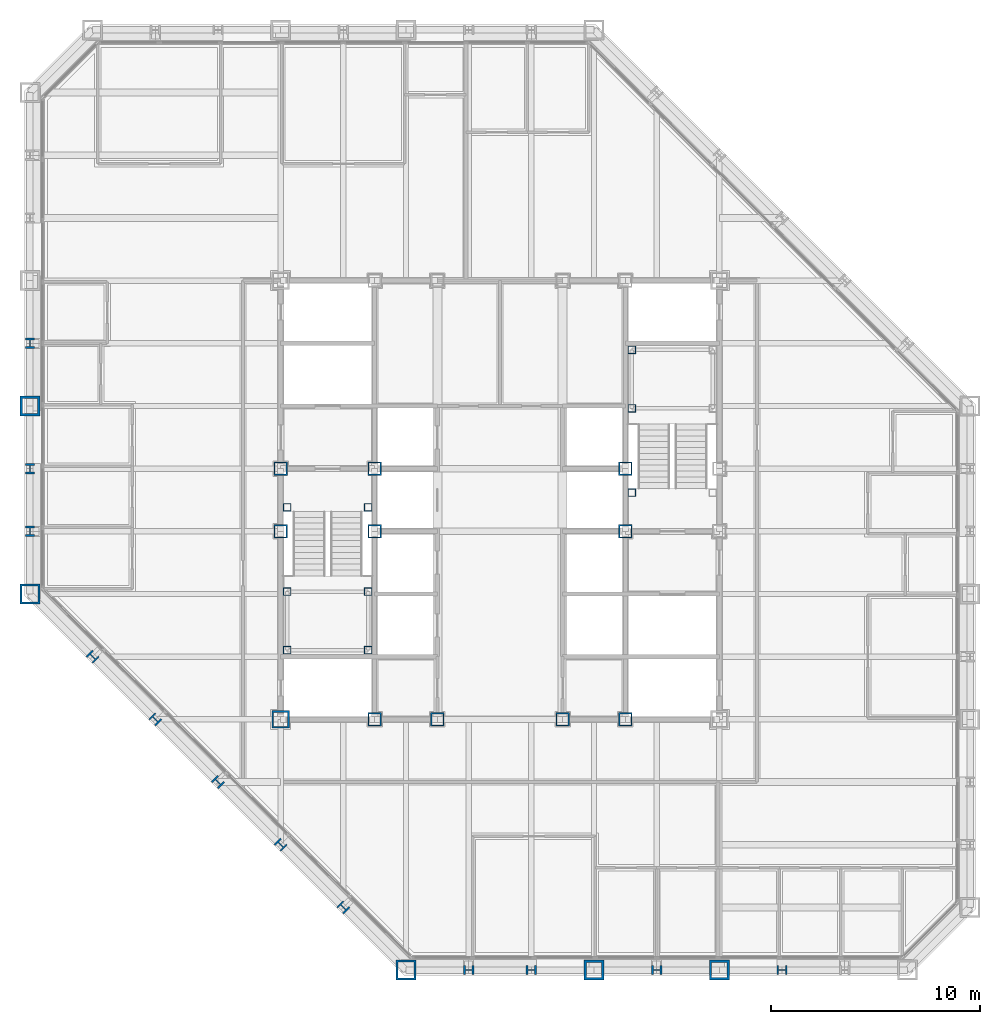
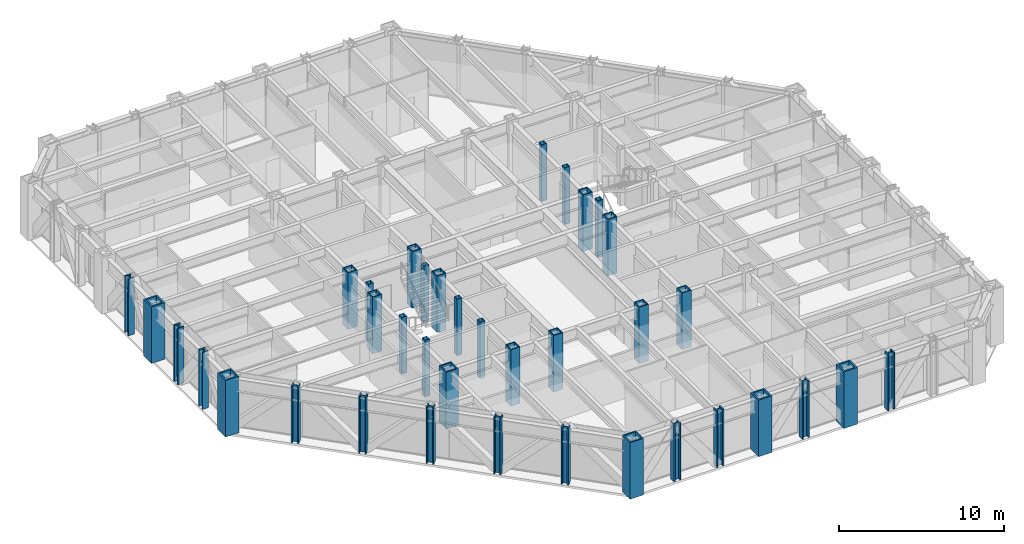
# One storey, part 1 of 16: 37 columns.
"""IFC4 building model written with IfcOpenShell, lengths in metres."""

from ifc_helpers import new_model, si_unit, direction, frame, origin, origin_2d, place, context, subcontext, project, spatial, hollow_rectangle, i_section, extrude, material, material_profile, profile_set, type_object, element, save


model = new_model("IFC4")

# Units and contexts
model_context = context("Model", 3, precision=1e-05, world=origin(), true_north=direction((0.0, 1.0)))
body_context = subcontext(model_context, "Body", "Model", "MODEL_VIEW")
ifc_project = project(units=[si_unit("LENGTHUNIT", "METRE"), si_unit("AREAUNIT", "SQUARE_METRE"), si_unit("VOLUMEUNIT", "CUBIC_METRE"), si_unit("PLANEANGLEUNIT", "RADIAN"), si_unit("MASSUNIT", "GRAM", prefix="KILO")], contexts=[model_context])

# Site, building, storey
site_placement = place(None, origin())
site = spatial("IfcSite", under=ifc_project, at=site_placement, CompositionType="ELEMENT")
building_placement = place(site_placement, origin())
building = spatial("IfcBuilding", under=site, at=building_placement, Name="Chuquiago Exchange Tower", CompositionType="ELEMENT")
storey_placement = place(building_placement, frame((0.0, 0.0, 161.39990234375)))
storey = spatial("IfcBuildingStorey", under=building, at=storey_placement, Name="L35", CompositionType="ELEMENT", Elevation=161.39990234375)

# Columns
ifc_material_1 = material(Name="Steel ASTM A992", Category="steel")
ifc_material_profile_1 = material_profile(ifc_material_1, i_section(OverallWidth=0.431884765625, OverallDepth=0.497802734375, WebThickness=0.0556640625, FlangeThickness=0.0888671875, at=origin_2d()), Name="W14X500")
ifc_profile_set_1 = profile_set([ifc_material_profile_1], Name="Steel ASTM A992")
column_type_1 = type_object("IfcColumnType", Name="C7 W14X500", PredefinedType="COLUMN", material=ifc_profile_set_1)
for number, where, z_axis, x_axis, name in (
    (1, (21.0, 0.0, 0.0), (0.0, 0.0, 1.0), (0.0, -1.0, 0.0), "COL-L35-21_0"),
    (2, (24.0, 0.0, 0.0), (0.0, 0.0, 1.0), (0.0, -1.0, 0.0), "COL-L35-24_0"),
    (3, (30.0, 0.0, 0.0), (0.0, 0.0, 1.0), (0.0, -1.0, 0.0), "COL-L35-30_0"),
    (4, (36.0, 0.0, 0.0), (0.0, 0.0, 1.0), (0.0, -1.0, 0.0), "COL-L35-36_0"),
    (5, (0.0, 30.0, 0.0), (0.0, 0.0, 1.0), (-1.0, 0.0, 0.0), "COL-L35-0_30"),
    (6, (0.0, 24.0, 0.0), (0.0, 0.0, 1.0), (-1.0, 0.0, 0.0), "COL-L35-0_24"),
    (7, (0.0, 21.0, 0.0), (0.0, 0.0, 1.0), (-1.0, 0.0, 0.0), "COL-L35-0_21"),
):
    element("IfcColumn", number, at=place(storey_placement, frame(where, z_axis=z_axis, x_axis=x_axis)), inside=storey, type_object=column_type_1, Name=name, PredefinedType="COLUMN", context=body_context, shape_type="SweptSolid", body=[
        extrude(i_section(OverallWidth=0.431884765625, OverallDepth=0.497802734375, WebThickness=0.0556640625, FlangeThickness=0.0888671875, at=origin_2d()), origin(), (0.0, 0.0, 1.0), 4.2001953125),
    ])
ifc_material_2 = material(Name="Steel ASTM A572 Grade 50", Category="steel")
ifc_material_profile_2 = material_profile(ifc_material_2, hollow_rectangle(XDim=0.85009765625, YDim=0.85009765625, WallThickness=0.0849609375, at=origin_2d()), Name="BOX850X850X85")
ifc_profile_set_2 = profile_set([ifc_material_profile_2], Name="Steel ASTM A572 Grade 50")
column_type_2 = type_object("IfcColumnType", Name="CC6 BOX850X850X85", PredefinedType="COLUMN", material=ifc_profile_set_2)
column_placement = place(storey_placement, frame((12.0, 12.0, 0.0), z_axis=(0.0, 0.0, 1.0), x_axis=(1.0, 0.0, 0.0)))
element("IfcColumn", 8, at=column_placement, inside=storey, type_object=column_type_2, Name="CCOL-L35-12_12", PredefinedType="COLUMN", context=body_context, shape_type="SweptSolid", body=[
    extrude(hollow_rectangle(XDim=0.85009765625, YDim=0.85009765625, WallThickness=0.0849609375, at=origin_2d()), origin(), (0.0, 0.0, 1.0), 4.2001953125),
])
ifc_material_3 = material(Name="Steel ASTM A572 Grade 50", Category="steel")
ifc_material_profile_3 = material_profile(ifc_material_3, hollow_rectangle(XDim=0.64990234375, YDim=0.64990234375, WallThickness=0.06494140625, at=origin_2d()), Name="BOX650X650X65")
ifc_profile_set_3 = profile_set([ifc_material_profile_3], Name="Steel ASTM A572 Grade 50")
column_type_3 = type_object("IfcColumnType", Name="CC7 BOX650X650X65", PredefinedType="COLUMN", material=ifc_profile_set_3)
for number, where, z_axis, x_axis, name in (
    (9, (16.5, 12.0, 0.0), (0.0, 0.0, 1.0), (1.0, 0.0, 0.0), "CCOL-L35-16.5_12"),
    (10, (19.5, 12.0, 0.0), (0.0, 0.0, 1.0), (1.0, 0.0, 0.0), "CCOL-L35-19.5_12"),
    (11, (25.5, 12.0, 0.0), (0.0, 0.0, 1.0), (1.0, 0.0, 0.0), "CCOL-L35-25.5_12"),
    (12, (28.5, 12.0, 0.0), (0.0, 0.0, 1.0), (1.0, 0.0, 0.0), "CCOL-L35-28.5_12"),
    (13, (12.0, 21.0, 0.0), (0.0, 0.0, 1.0), (1.0, 0.0, 0.0), "CCOL-L35-12_21"),
    (14, (12.0, 24.0, 0.0), (0.0, 0.0, 1.0), (1.0, 0.0, 0.0), "CCOL-L35-12_24"),
    (15, (16.5, 21.0, 0.0), (0.0, 0.0, 1.0), (1.0, 0.0, 0.0), "CCOL-L35-16.5_21"),
    (16, (16.5, 24.0, 0.0), (0.0, 0.0, 1.0), (1.0, 0.0, 0.0), "CCOL-L35-16.5_24"),
    (17, (28.5, 21.0, 0.0), (0.0, 0.0, 1.0), (1.0, 0.0, 0.0), "CCOL-L35-28.5_21"),
    (18, (28.5, 24.0, 0.0), (0.0, 0.0, 1.0), (1.0, 0.0, 0.0), "CCOL-L35-28.5_24"),
):
    element("IfcColumn", number, at=place(storey_placement, frame(where, z_axis=z_axis, x_axis=x_axis)), inside=storey, type_object=column_type_3, Name=name, PredefinedType="COLUMN", context=body_context, shape_type="SweptSolid", body=[
        extrude(hollow_rectangle(XDim=0.64990234375, YDim=0.64990234375, WallThickness=0.06494140625, at=origin_2d()), origin(), (0.0, 0.0, 1.0), 4.2001953125),
    ])
ifc_material_4 = material(Name="Steel ASTM A992", Category="steel")
ifc_material_profile_4 = material_profile(ifc_material_4, i_section(OverallWidth=0.4267578125, OverallDepth=0.482666015625, WebThickness=0.05126953125, FlangeThickness=0.08154296875, at=origin_2d()), Name="W14X455")
ifc_profile_set_4 = profile_set([ifc_material_profile_4], Name="Steel ASTM A992")
column_type_4 = type_object("IfcColumnType", Name="CK6 W14X455", PredefinedType="COLUMN", material=ifc_profile_set_4)
for number, where, z_axis, x_axis, name in (
    (19, (3.0, 15.0, 0.0), (0.0, 0.0, 1.0), (-0.707106781187, -0.707106781187, 0.0), "COL-L35-3_15"),
    (20, (6.0, 12.0, 0.0), (0.0, 0.0, 1.0), (-0.707106781187, -0.707106781187, 0.0), "COL-L35-6_12"),
    (21, (9.0, 9.0, 0.0), (0.0, 0.0, 1.0), (-0.707106781187, -0.707106781187, 0.0), "COL-L35-9_9"),
    (22, (12.0, 6.0, 0.0), (0.0, 0.0, 1.0), (-0.707106781187, -0.707106781187, 0.0), "COL-L35-12_6"),
    (23, (15.0, 3.0, 0.0), (0.0, 0.0, 1.0), (-0.707106781187, -0.707106781187, 0.0), "COL-L35-15_3"),
):
    element("IfcColumn", number, at=place(storey_placement, frame(where, z_axis=z_axis, x_axis=x_axis)), inside=storey, type_object=column_type_4, Name=name, PredefinedType="COLUMN", context=body_context, shape_type="SweptSolid", body=[
        extrude(i_section(OverallWidth=0.4267578125, OverallDepth=0.482666015625, WebThickness=0.05126953125, FlangeThickness=0.08154296875, at=origin_2d()), origin(), (0.0, 0.0, 1.0), 4.2001953125),
    ])
ifc_material_5 = material(Name="Steel ASTM A572 Grade 50", Category="steel")
ifc_material_profile_5 = material_profile(ifc_material_5, hollow_rectangle(XDim=0.949951171875, YDim=0.949951171875, WallThickness=0.094970703125, at=origin_2d()), Name="BOX950X950X95")
ifc_profile_set_5 = profile_set([ifc_material_profile_5], Name="Steel ASTM A572 Grade 50")
column_type_5 = type_object("IfcColumnType", Name="CN1 BOX950X950X95", PredefinedType="COLUMN", material=ifc_profile_set_5)
for number, where, z_axis, x_axis, name in (
    (24, (18.0, 0.0, 0.0), (0.0, 0.0, 1.0), (0.0, -1.0, 0.0), "COL-L35-18_0"),
    (25, (0.0, 18.0, 0.0), (0.0, 0.0, 1.0), (-1.0, 0.0, 0.0), "COL-L35-0_18"),
):
    element("IfcColumn", number, at=place(storey_placement, frame(where, z_axis=z_axis, x_axis=x_axis)), inside=storey, type_object=column_type_5, Name=name, PredefinedType="COLUMN", context=body_context, shape_type="SweptSolid", body=[
        extrude(hollow_rectangle(XDim=0.949951171875, YDim=0.949951171875, WallThickness=0.094970703125, at=origin_2d()), origin(), (0.0, 0.0, 1.0), 4.2001953125),
    ])
ifc_material_6 = material(Name="Steel ASTM A572 Grade 42", Category="steel")
ifc_material_profile_6 = material_profile(ifc_material_6, hollow_rectangle(XDim=0.949951171875, YDim=0.949951171875, WallThickness=0.110107421875, at=origin_2d()), Name="BOX950X950X110")
ifc_profile_set_6 = profile_set([ifc_material_profile_6], Name="Steel ASTM A572 Grade 42")
column_type_6 = type_object("IfcColumnType", Name="CT1 BOX950X950X110", PredefinedType="COLUMN", material=ifc_profile_set_6)
for number, where, z_axis, x_axis, name in (
    (26, (27.0, 0.0, 0.0), (0.0, 0.0, 1.0), (0.0, -1.0, 0.0), "COL-L35-27_0"),
    (27, (33.0, 0.0, 0.0), (0.0, 0.0, 1.0), (0.0, -1.0, 0.0), "COL-L35-33_0"),
    (28, (0.0, 27.0, 0.0), (0.0, 0.0, 1.0), (-1.0, 0.0, 0.0), "COL-L35-0_27"),
):
    element("IfcColumn", number, at=place(storey_placement, frame(where, z_axis=z_axis, x_axis=x_axis)), inside=storey, type_object=column_type_6, Name=name, PredefinedType="COLUMN", context=body_context, shape_type="SweptSolid", body=[
        extrude(hollow_rectangle(XDim=0.949951171875, YDim=0.949951171875, WallThickness=0.110107421875, at=origin_2d()), origin(), (0.0, 0.0, 1.0), 4.2001953125),
    ])
ifc_material_7 = material(Name="Steel ASTM A500 Grade C", Category="steel")
ifc_material_profile_7 = material_profile(ifc_material_7, hollow_rectangle(XDim=0.355712890625, YDim=0.355712890625, WallThickness=0.0146484375, at=origin_2d()), Name="HSS14X14X5/8")
ifc_profile_set_7 = profile_set([ifc_material_profile_7], Name="Steel ASTM A500 Grade C")
column_type_7 = type_object("IfcColumnType", Name="PT2 HSS14X14X5/8", PredefinedType="COLUMN", material=ifc_profile_set_7)
for number, where, z_axis, x_axis, name in (
    (29, (12.31005859375, 15.31005859375, 0.0), (0.0, 0.0, 1.0), (1.0, 0.0, 0.0), "Stair ST1 L35 landing post"),
    (30, (16.18994140625, 15.31005859375, 0.0), (0.0, 0.0, 1.0), (1.0, 0.0, 0.0), "Stair ST1 L35 landing post"),
    (31, (12.31005859375, 18.110107421875, 0.0), (0.0, 0.0, 1.0), (1.0, 0.0, 0.0), "Stair ST1 L35 landing post"),
    (32, (16.18994140625, 18.110107421875, 0.0), (0.0, 0.0, 1.0), (1.0, 0.0, 0.0), "Stair ST1 L35 landing post"),
    (33, (12.31005859375, 22.14990234375, 0.0), (0.0, 0.0, 1.0), (1.0, 0.0, 0.0), "Stair ST1 L35 landing post"),
    (34, (16.18994140625, 22.14990234375, 0.0), (0.0, 0.0, 1.0), (1.0, 0.0, 0.0), "Stair ST1 L35 landing post"),
    (35, (28.81005859375, 29.68994140625, 0.0), (0.0, 0.0, 1.0), (1.0, 0.0, 0.0), "Stair ST2 L35 landing post"),
    (36, (28.81005859375, 26.889892578125, 0.0), (0.0, 0.0, 1.0), (1.0, 0.0, 0.0), "Stair ST2 L35 landing post"),
    (37, (28.81005859375, 22.85009765625, 0.0), (0.0, 0.0, 1.0), (1.0, 0.0, 0.0), "Stair ST2 L35 landing post"),
):
    element("IfcColumn", number, at=place(storey_placement, frame(where, z_axis=z_axis, x_axis=x_axis)), inside=storey, type_object=column_type_7, Name=name, PredefinedType="COLUMN", context=body_context, shape_type="SweptSolid", body=[
        extrude(hollow_rectangle(XDim=0.355712890625, YDim=0.355712890625, WallThickness=0.0146484375, at=origin_2d()), origin(), (0.0, 0.0, 1.0), 4.2001953125),
    ])

save(model, "model.ifc")
